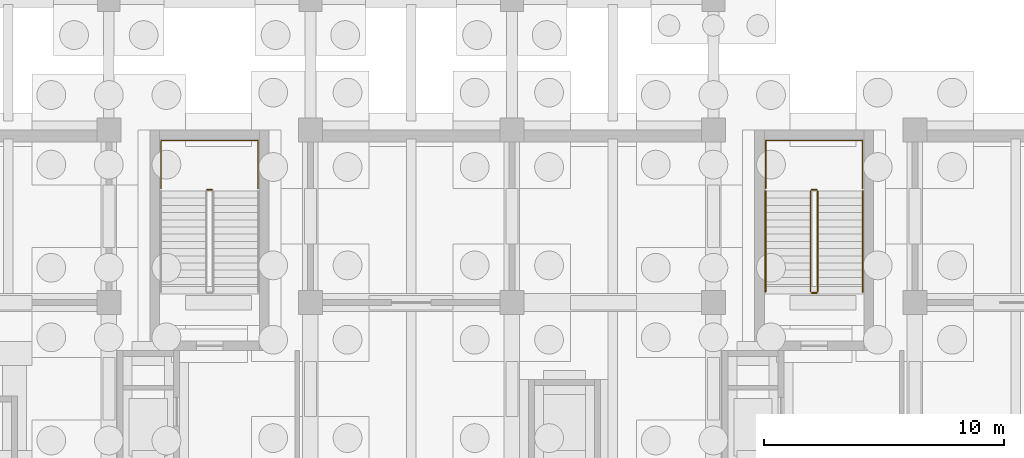
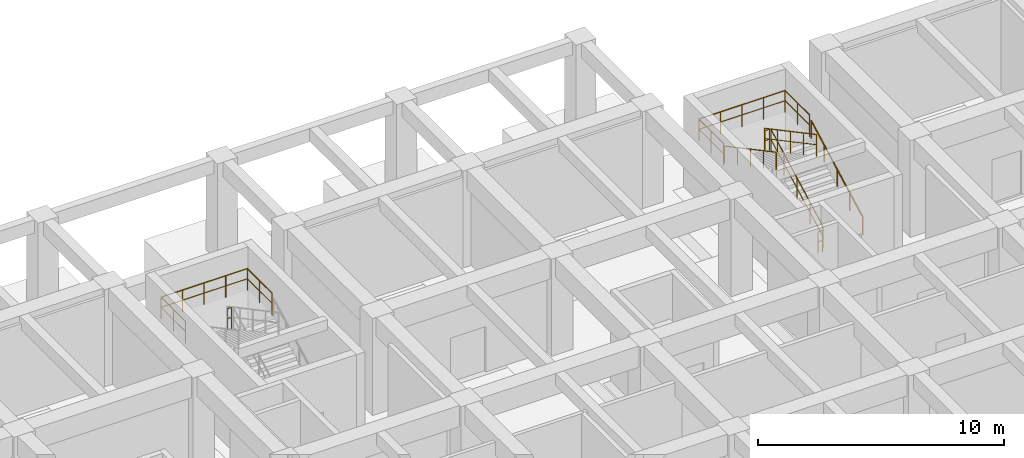
# One storey, part 25 of 26: 9 railings.
"""IFC4 building model written with IfcOpenShell, lengths in metres."""

from ifc_helpers import new_model, si_unit, direction, frame, origin, origin_2d, place, context, subcontext, project, spatial, circle, extrude, material, type_object, element, save


model = new_model("IFC4")

# Units and contexts
model_context = context("Model", 3, precision=1e-05, world=origin(), true_north=direction((0.0, 1.0)))
body_context = subcontext(model_context, "Body", "Model", "MODEL_VIEW")
ifc_project = project(units=[si_unit("LENGTHUNIT", "METRE"), si_unit("AREAUNIT", "SQUARE_METRE"), si_unit("VOLUMEUNIT", "CUBIC_METRE"), si_unit("PLANEANGLEUNIT", "RADIAN"), si_unit("MASSUNIT", "GRAM", prefix="KILO")], contexts=[model_context])

# Site, building, storey
site_placement = place(None, origin())
site = spatial("IfcSite", under=ifc_project, at=site_placement, CompositionType="ELEMENT")
building_placement = place(site_placement, origin())
building = spatial("IfcBuilding", under=site, at=building_placement, Name="Kenerak Square Central Library", CompositionType="ELEMENT")
storey_placement = place(building_placement, frame((0.0, 0.0, -4.800048828125)))
storey = spatial("IfcBuildingStorey", under=building, at=storey_placement, Name="B1", CompositionType="ELEMENT", Elevation=-4.800048828125)

# Railings
ifc_material = material(Name="Steel S355", Category="steel")
railing_type_1 = type_object("IfcRailingType", Name="Safety Guardrail GR-1100 S355", PredefinedType="GUARDRAIL", material=ifc_material)
railing_1_placement = place(storey_placement, frame((87.89990234375, 107.89990234375, 2.400146484375)))
element("IfcRailing", 1, at=railing_1_placement, inside=storey, type_object=railing_type_1, Name="B1 ST-02 stair guard 2", PredefinedType="GUARDRAIL", context=body_context, shape_type="SweptSolid", body=[
    extrude(circle(Radius=0.02392578125, at=origin_2d()), frame((0.0, 0.0, 1.076171875), z_axis=(-1.0, 0.0, 0.0), x_axis=(0.0, -1.0, 0.0)), (0.0, 0.0, 1.0), 0.199951171875),
    extrude(circle(Radius=0.01806640625, at=origin_2d()), frame((0.0, 0.0, 0.572021484375), z_axis=(-1.0, 0.0, 0.0), x_axis=(0.0, -1.0, 0.0)), (0.0, 0.0, 1.0), 0.199951171875),
    extrude(circle(Radius=0.02099609375, at=origin_2d()), origin(), (0.0, 0.0, 1.0), 1.052001953125),
    extrude(circle(Radius=0.02099609375, at=origin_2d()), frame((-0.199951171875, 0.0, 0.0)), (0.0, 0.0, 1.0), 1.052001953125),
])
railing_2_placement = place(storey_placement, frame((85.780029296875, 107.949951171875, 2.400146484375)))
element("IfcRailing", 2, at=railing_2_placement, inside=storey, type_object=railing_type_1, Name="Stair Half-Landing Guard ST-02 B1", PredefinedType="GUARDRAIL", context=body_context, shape_type="SweptSolid", body=[
    extrude(circle(Radius=0.02392578125, at=origin_2d()), frame((0.0, 0.0, 1.076171875), z_axis=(0.0, 1.0, 0.0), x_axis=(-1.0, 0.0, 0.0)), (0.0, 0.0, 1.0), 2.0),
    extrude(circle(Radius=0.01806640625, at=origin_2d()), frame((0.0, 0.0, 0.572021484375), z_axis=(0.0, 1.0, 0.0), x_axis=(-1.0, 0.0, 0.0)), (0.0, 0.0, 1.0), 2.0),
    extrude(circle(Radius=0.02392578125, at=origin_2d()), frame((0.0, 2.0, 1.076171875), z_axis=(1.0, 0.0, 0.0), x_axis=(0.0, 1.0, 0.0)), (0.0, 0.0, 1.0), 4.0400390625),
    extrude(circle(Radius=0.01806640625, at=origin_2d()), frame((0.0, 2.0, 0.572021484375), z_axis=(1.0, 0.0, 0.0), x_axis=(0.0, 1.0, 0.0)), (0.0, 0.0, 1.0), 4.0400390625),
    extrude(circle(Radius=0.02392578125, at=origin_2d()), frame((4.0400390625, 2.0, 1.076171875), z_axis=(0.0, -1.0, 0.0), x_axis=(1.0, 0.0, 0.0)), (0.0, 0.0, 1.0), 2.0),
    extrude(circle(Radius=0.01806640625, at=origin_2d()), frame((4.0400390625, 2.0, 0.572021484375), z_axis=(0.0, -1.0, 0.0), x_axis=(1.0, 0.0, 0.0)), (0.0, 0.0, 1.0), 2.0),
    extrude(circle(Radius=0.02099609375, at=origin_2d()), origin(), (0.0, 0.0, 1.0), 1.052001953125),
    extrude(circle(Radius=0.02099609375, at=origin_2d()), frame((0.0, 1.0, 0.0)), (0.0, 0.0, 1.0), 1.052001953125),
    extrude(circle(Radius=0.02099609375, at=origin_2d()), frame((0.0, 2.0, 0.0)), (0.0, 0.0, 1.0), 1.052001953125),
    extrude(circle(Radius=0.02099609375, at=origin_2d()), frame((1.010009765625, 2.0, 0.0)), (0.0, 0.0, 1.0), 1.052001953125),
    extrude(circle(Radius=0.02099609375, at=origin_2d()), frame((2.02001953125, 2.0, 0.0)), (0.0, 0.0, 1.0), 1.052001953125),
    extrude(circle(Radius=0.02099609375, at=origin_2d()), frame((3.030029296875, 2.0, 0.0)), (0.0, 0.0, 1.0), 1.052001953125),
    extrude(circle(Radius=0.02099609375, at=origin_2d()), frame((4.0400390625, 2.0, 0.0)), (0.0, 0.0, 1.0), 1.052001953125),
    extrude(circle(Radius=0.02099609375, at=origin_2d()), frame((4.0400390625, 1.0, 0.0)), (0.0, 0.0, 1.0), 1.052001953125),
    extrude(circle(Radius=0.02099609375, at=origin_2d()), frame((4.0400390625, 0.0, 0.0)), (0.0, 0.0, 1.0), 1.052001953125),
])
railing_3_placement = place(storey_placement, frame((113.14990234375, 103.64990234375, 0.16015625)))
element("IfcRailing", 3, at=railing_3_placement, inside=storey, type_object=railing_type_1, Name="B1 ST-03 stair guard 1", PredefinedType="GUARDRAIL", context=body_context, shape_type="SweptSolid", body=[
    extrude(circle(Radius=0.02392578125, at=origin_2d()), frame((0.0, 0.0, 1.076171875), z_axis=(0.0, 0.882362879185, 0.470569601054), x_axis=(-1.0, 0.0, 0.0)), (0.0, 0.0, 1.0), 4.76025390625),
    extrude(circle(Radius=0.01806640625, at=origin_2d()), frame((0.0, 0.0, 0.572021484375), z_axis=(0.0, 0.882362879185, 0.470569601054), x_axis=(-1.0, 0.0, 0.0)), (0.0, 0.0, 1.0), 4.76025390625),
    extrude(circle(Radius=0.02099609375, at=origin_2d()), origin(), (0.0, 0.0, 1.0), 1.052001953125),
    extrude(circle(Radius=0.02099609375, at=origin_2d()), frame((0.0, 1.050048828125, 0.56005859375)), (0.0, 0.0, 1.0), 1.052001953125),
    extrude(circle(Radius=0.02099609375, at=origin_2d()), frame((0.0, 2.10009765625, 1.1201171875)), (0.0, 0.0, 1.0), 1.052001953125),
    extrude(circle(Radius=0.02099609375, at=origin_2d()), frame((0.0, 3.150146484375, 1.679931640625)), (0.0, 0.0, 1.0), 1.052001953125),
    extrude(circle(Radius=0.02099609375, at=origin_2d()), frame((0.0, 4.2001953125, 2.239990234375)), (0.0, 0.0, 1.0), 1.052001953125),
])
railing_4_placement = place(storey_placement, frame((113.10009765625, 107.89990234375, 2.400146484375)))
element("IfcRailing", 4, at=railing_4_placement, inside=storey, type_object=railing_type_1, Name="B1 ST-03 stair guard 2", PredefinedType="GUARDRAIL", context=body_context, shape_type="SweptSolid", body=[
    extrude(circle(Radius=0.02392578125, at=origin_2d()), frame((0.0, 0.0, 1.076171875), z_axis=(-1.0, 0.0, 0.0), x_axis=(0.0, -1.0, 0.0)), (0.0, 0.0, 1.0), 0.2001953125),
    extrude(circle(Radius=0.01806640625, at=origin_2d()), frame((0.0, 0.0, 0.572021484375), z_axis=(-1.0, 0.0, 0.0), x_axis=(0.0, -1.0, 0.0)), (0.0, 0.0, 1.0), 0.2001953125),
    extrude(circle(Radius=0.02099609375, at=origin_2d()), origin(), (0.0, 0.0, 1.0), 1.052001953125),
    extrude(circle(Radius=0.02099609375, at=origin_2d()), frame((-0.2001953125, 0.0, 0.0)), (0.0, 0.0, 1.0), 1.052001953125),
])
railing_5_placement = place(storey_placement, frame((112.85009765625, 107.85009765625, 2.56005859375)))
element("IfcRailing", 5, at=railing_5_placement, inside=storey, type_object=railing_type_1, Name="B1 ST-03 stair guard 3", PredefinedType="GUARDRAIL", context=body_context, shape_type="SweptSolid", body=[
    extrude(circle(Radius=0.02392578125, at=origin_2d()), frame((0.0, 0.0, 1.076171875), z_axis=(0.0, -0.882362879185, 0.470569601054), x_axis=(1.0, 0.0, 0.0)), (0.0, 0.0, 1.0), 4.76025390625),
    extrude(circle(Radius=0.01806640625, at=origin_2d()), frame((0.0, 0.0, 0.572021484375), z_axis=(0.0, -0.882362879185, 0.470569601054), x_axis=(1.0, 0.0, 0.0)), (0.0, 0.0, 1.0), 4.76025390625),
    extrude(circle(Radius=0.02099609375, at=origin_2d()), origin(), (0.0, 0.0, 1.0), 1.052001953125),
    extrude(circle(Radius=0.02099609375, at=origin_2d()), frame((0.0, -1.050048828125, 0.56005859375)), (0.0, 0.0, 1.0), 1.052001953125),
    extrude(circle(Radius=0.02099609375, at=origin_2d()), frame((0.0, -2.10009765625, 1.1201171875)), (0.0, 0.0, 1.0), 1.052001953125),
    extrude(circle(Radius=0.02099609375, at=origin_2d()), frame((0.0, -3.150146484375, 1.679931640625)), (0.0, 0.0, 1.0), 1.052001953125),
    extrude(circle(Radius=0.02099609375, at=origin_2d()), frame((0.0, -4.2001953125, 2.239990234375)), (0.0, 0.0, 1.0), 1.052001953125),
])
railing_6_placement = place(storey_placement, frame((113.10009765625, 103.60009765625, 0.0)))
element("IfcRailing", 6, at=railing_6_placement, inside=storey, type_object=railing_type_1, Name="B1 ST-03 stair guard 4", PredefinedType="GUARDRAIL", context=body_context, shape_type="SweptSolid", body=[
    extrude(circle(Radius=0.02392578125, at=origin_2d()), frame((0.0, 0.0, 1.076171875), z_axis=(-1.0, 0.0, 0.0), x_axis=(0.0, -1.0, 0.0)), (0.0, 0.0, 1.0), 0.2001953125),
    extrude(circle(Radius=0.01806640625, at=origin_2d()), frame((0.0, 0.0, 0.572021484375), z_axis=(-1.0, 0.0, 0.0), x_axis=(0.0, -1.0, 0.0)), (0.0, 0.0, 1.0), 0.2001953125),
    extrude(circle(Radius=0.02099609375, at=origin_2d()), origin(), (0.0, 0.0, 1.0), 1.052001953125),
    extrude(circle(Radius=0.02099609375, at=origin_2d()), frame((-0.2001953125, 0.0, 0.0)), (0.0, 0.0, 1.0), 1.052001953125),
])
railing_7_placement = place(storey_placement, frame((110.97998046875, 107.949951171875, 2.400146484375)))
element("IfcRailing", 7, at=railing_7_placement, inside=storey, type_object=railing_type_1, Name="Stair Half-Landing Guard ST-03 B1", PredefinedType="GUARDRAIL", context=body_context, shape_type="SweptSolid", body=[
    extrude(circle(Radius=0.02392578125, at=origin_2d()), frame((0.0, 0.0, 1.076171875), z_axis=(0.0, 1.0, 0.0), x_axis=(-1.0, 0.0, 0.0)), (0.0, 0.0, 1.0), 2.0),
    extrude(circle(Radius=0.01806640625, at=origin_2d()), frame((0.0, 0.0, 0.572021484375), z_axis=(0.0, 1.0, 0.0), x_axis=(-1.0, 0.0, 0.0)), (0.0, 0.0, 1.0), 2.0),
    extrude(circle(Radius=0.02392578125, at=origin_2d()), frame((0.0, 2.0, 1.076171875), z_axis=(1.0, 0.0, 0.0), x_axis=(0.0, 1.0, 0.0)), (0.0, 0.0, 1.0), 4.0400390625),
    extrude(circle(Radius=0.01806640625, at=origin_2d()), frame((0.0, 2.0, 0.572021484375), z_axis=(1.0, 0.0, 0.0), x_axis=(0.0, 1.0, 0.0)), (0.0, 0.0, 1.0), 4.0400390625),
    extrude(circle(Radius=0.02392578125, at=origin_2d()), frame((4.0400390625, 2.0, 1.076171875), z_axis=(0.0, -1.0, 0.0), x_axis=(1.0, 0.0, 0.0)), (0.0, 0.0, 1.0), 2.0),
    extrude(circle(Radius=0.01806640625, at=origin_2d()), frame((4.0400390625, 2.0, 0.572021484375), z_axis=(0.0, -1.0, 0.0), x_axis=(1.0, 0.0, 0.0)), (0.0, 0.0, 1.0), 2.0),
    extrude(circle(Radius=0.02099609375, at=origin_2d()), origin(), (0.0, 0.0, 1.0), 1.052001953125),
    extrude(circle(Radius=0.02099609375, at=origin_2d()), frame((0.0, 1.0, 0.0)), (0.0, 0.0, 1.0), 1.052001953125),
    extrude(circle(Radius=0.02099609375, at=origin_2d()), frame((0.0, 2.0, 0.0)), (0.0, 0.0, 1.0), 1.052001953125),
    extrude(circle(Radius=0.02099609375, at=origin_2d()), frame((1.010009765625, 2.0, 0.0)), (0.0, 0.0, 1.0), 1.052001953125),
    extrude(circle(Radius=0.02099609375, at=origin_2d()), frame((2.02001953125, 2.0, 0.0)), (0.0, 0.0, 1.0), 1.052001953125),
    extrude(circle(Radius=0.02099609375, at=origin_2d()), frame((3.030029296875, 2.0, 0.0)), (0.0, 0.0, 1.0), 1.052001953125),
    extrude(circle(Radius=0.02099609375, at=origin_2d()), frame((4.0400390625, 2.0, 0.0)), (0.0, 0.0, 1.0), 1.052001953125),
    extrude(circle(Radius=0.02099609375, at=origin_2d()), frame((4.0400390625, 1.0, 0.0)), (0.0, 0.0, 1.0), 1.052001953125),
    extrude(circle(Radius=0.02099609375, at=origin_2d()), frame((4.0400390625, 0.0, 0.0)), (0.0, 0.0, 1.0), 1.052001953125),
])
railing_type_2 = type_object("IfcRailingType", Name="Stair Handrail HR-880 S355", PredefinedType="HANDRAIL", material=ifc_material)
railing_8_placement = place(storey_placement, frame((115.030029296875, 103.64990234375, 0.16015625)))
element("IfcRailing", 8, at=railing_8_placement, inside=storey, type_object=railing_type_2, Name="B1 ST-03 stair handrail 1", PredefinedType="HANDRAIL", context=body_context, shape_type="SweptSolid", body=[
    extrude(circle(Radius=0.02392578125, at=origin_2d()), frame((0.0, 0.0, 0.85595703125), z_axis=(0.0, 0.882362879185, 0.470569601054), x_axis=(-1.0, 0.0, 0.0)), (0.0, 0.0, 1.0), 4.76025390625),
    extrude(circle(Radius=0.02099609375, at=origin_2d()), origin(), (0.0, 0.0, 1.0), 0.831787109375),
    extrude(circle(Radius=0.02099609375, at=origin_2d()), frame((0.0, 1.050048828125, 0.56005859375)), (0.0, 0.0, 1.0), 0.831787109375),
    extrude(circle(Radius=0.02099609375, at=origin_2d()), frame((0.0, 2.10009765625, 1.1201171875)), (0.0, 0.0, 1.0), 0.831787109375),
    extrude(circle(Radius=0.02099609375, at=origin_2d()), frame((0.0, 3.150146484375, 1.679931640625)), (0.0, 0.0, 1.0), 0.831787109375),
    extrude(circle(Radius=0.02099609375, at=origin_2d()), frame((0.0, 4.2001953125, 2.239990234375)), (0.0, 0.0, 1.0), 0.831787109375),
])
railing_9_placement = place(storey_placement, frame((110.969970703125, 107.85009765625, 2.56005859375)))
element("IfcRailing", 9, at=railing_9_placement, inside=storey, type_object=railing_type_2, Name="B1 ST-03 stair handrail 2", PredefinedType="HANDRAIL", context=body_context, shape_type="SweptSolid", body=[
    extrude(circle(Radius=0.02392578125, at=origin_2d()), frame((0.0, 0.0, 0.85595703125), z_axis=(0.0, -0.882362879185, 0.470569601054), x_axis=(1.0, 0.0, 0.0)), (0.0, 0.0, 1.0), 4.76025390625),
    extrude(circle(Radius=0.02099609375, at=origin_2d()), origin(), (0.0, 0.0, 1.0), 0.831787109375),
    extrude(circle(Radius=0.02099609375, at=origin_2d()), frame((0.0, -1.050048828125, 0.56005859375)), (0.0, 0.0, 1.0), 0.831787109375),
    extrude(circle(Radius=0.02099609375, at=origin_2d()), frame((0.0, -2.10009765625, 1.1201171875)), (0.0, 0.0, 1.0), 0.831787109375),
    extrude(circle(Radius=0.02099609375, at=origin_2d()), frame((0.0, -3.150146484375, 1.679931640625)), (0.0, 0.0, 1.0), 0.831787109375),
    extrude(circle(Radius=0.02099609375, at=origin_2d()), frame((0.0, -4.2001953125, 2.239990234375)), (0.0, 0.0, 1.0), 0.831787109375),
])

save(model, "model.ifc")
